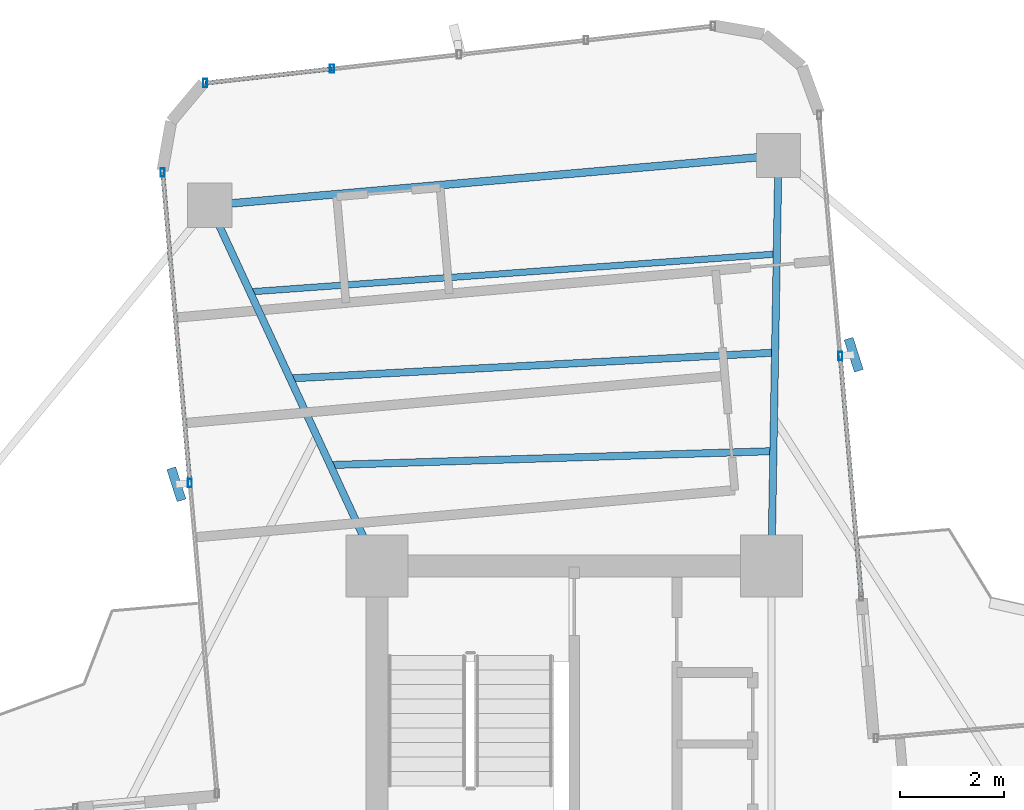
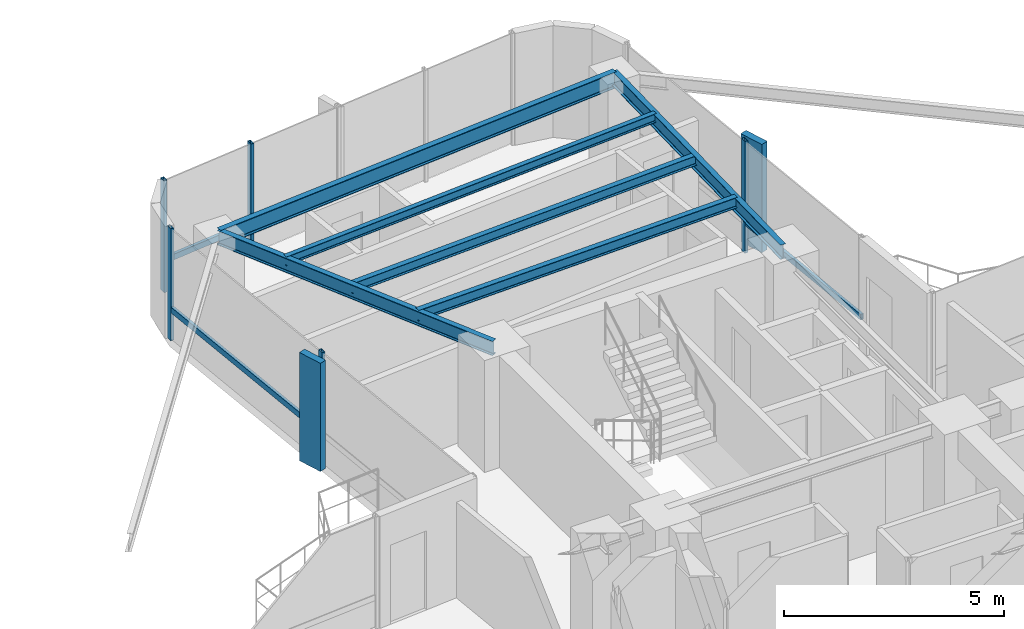
# One storey, part 16 of 24: 10 members, 6 beams, 3 elements without a shape of their own.
"""IFC4 building model written with IfcOpenShell, lengths in metres."""

from ifc_helpers import new_model, si_unit, direction, frame, origin, origin_2d, place, context, subcontext, project, spatial, rectangle, hollow_rectangle, i_section, extrude, source, transform, mapped, material, material_profile, profile_set, type_object, element, aggregate, save


model = new_model("IFC4")

# Units and contexts
model_context = context("Model", 3, precision=1e-05, world=origin(), true_north=direction((0.0, 1.0)))
body_context = subcontext(model_context, "Body", "Model", "MODEL_VIEW")
ifc_project = project(units=[si_unit("LENGTHUNIT", "METRE"), si_unit("AREAUNIT", "SQUARE_METRE"), si_unit("VOLUMEUNIT", "CUBIC_METRE"), si_unit("PLANEANGLEUNIT", "RADIAN"), si_unit("MASSUNIT", "GRAM", prefix="KILO")], contexts=[model_context])

# Site, building, storey
site_placement = place(None, origin())
site = spatial("IfcSite", under=ifc_project, at=site_placement, CompositionType="ELEMENT")
building_placement = place(site_placement, origin())
building = spatial("IfcBuilding", under=site, at=building_placement, Name="Sahyath Konkavel Grand Hotel", CompositionType="ELEMENT")
storey_placement = place(building_placement, frame((0.0, 0.0, 164.0)))
storey = spatial("IfcBuildingStorey", under=building, at=storey_placement, Name="L45", CompositionType="ELEMENT", Elevation=164.0)

# Beams
ifc_material_1 = material(Name="Steel E350", Category="steel")
ifc_material_profile_1 = material_profile(ifc_material_1, i_section(OverallWidth=0.139892578125, OverallDepth=0.39990234375, WebThickness=0.0087890625, FlangeThickness=0.01611328125, FilletRadius=0.013916015625, at=origin_2d()), Name="ISMB 400")
ifc_profile_set_1 = profile_set([ifc_material_profile_1], Name="Steel E350")
beam_type_1 = type_object("IfcBeamType", Name="BM-ISMB400", PredefinedType="BEAM", material=ifc_profile_set_1)
shared_shape_1 = source(origin(), body_context, "Body", "SweptSolid", [
    extrude(i_section(OverallWidth=0.139892578125, OverallDepth=0.39990234375, WebThickness=0.0087890625, FlangeThickness=0.01611328125, FilletRadius=0.013916015625, at=origin_2d()), origin(), (0.0, 0.0, 1.0), 7.913330078125),
])
beam_1_placement = place(storey_placement, frame((3.800048828125, 10.199951171875, 2.909912109375), z_axis=(0.017215419232, 0.999851803689, 0.0), x_axis=(-0.999851803689, 0.017215419232, 0.0)))
element("IfcBeam", 1, at=beam_1_placement, inside=storey, type_object=beam_type_1, Name="L45 Cruciform Radial Girder NA", PredefinedType="BEAM", context=body_context, shape_type="MappedRepresentation", body=[
    mapped(shared_shape_1, transform((0.0, 0.0, 0.0), scale=1.0)),
])
shared_shape_2 = source(origin(), body_context, "Body", "SweptSolid", [
    extrude(i_section(OverallWidth=0.139892578125, OverallDepth=0.39990234375, WebThickness=0.0087890625, FlangeThickness=0.01611328125, FilletRadius=0.013916015625, at=origin_2d()), origin(), (0.0, 0.0, 1.0), 7.66357421875),
])
beam_2_placement = place(storey_placement, frame((-3.800048828125, 10.199951171875, 2.909912109375), z_axis=(-0.420395127561, 0.907341135804, 0.0), x_axis=(-0.907341135804, -0.420395127561, 0.0)))
element("IfcBeam", 2, at=beam_2_placement, inside=storey, type_object=beam_type_1, Name="L45 Cruciform Radial Girder NB", PredefinedType="BEAM", context=body_context, shape_type="MappedRepresentation", body=[
    mapped(shared_shape_2, transform((0.0, 0.0, 0.0), scale=1.0)),
])
ifc_material_profile_2 = material_profile(ifc_material_1, i_section(OverallWidth=0.14990234375, OverallDepth=0.449951171875, WebThickness=0.009521484375, FlangeThickness=0.017333984375, FilletRadius=0.014892578125, at=origin_2d()), Name="ISMB 450")
ifc_profile_set_2 = profile_set([ifc_material_profile_2], Name="Steel E350")
beam_type_2 = type_object("IfcBeamType", Name="BM-ISMB450", PredefinedType="BEAM", material=ifc_profile_set_2)
shared_shape_3 = source(origin(), body_context, "Body", "SweptSolid", [
    extrude(i_section(OverallWidth=0.14990234375, OverallDepth=0.449951171875, WebThickness=0.009521484375, FlangeThickness=0.017333984375, FilletRadius=0.014892578125, at=origin_2d()), origin(), (0.0, 0.0, 1.0), 10.999755859375),
])
beam_3_placement = place(storey_placement, frame((3.936279296875, 18.112060546875, 2.885009765625), z_axis=(-0.99619439202, -0.087159241098, 0.0), x_axis=(0.087159241098, -0.99619439202, 0.0)))
element("IfcBeam", 3, at=beam_3_placement, inside=storey, type_object=beam_type_2, Name="L45 Wing Tip Edge Beam N", PredefinedType="BEAM", context=body_context, shape_type="MappedRepresentation", body=[
    mapped(shared_shape_3, transform((0.0, 0.0, 0.0), scale=1.0)),
])
ifc_material_profile_3 = material_profile(ifc_material_1, i_section(OverallWidth=0.139892578125, OverallDepth=0.300048828125, WebThickness=0.0078125, FlangeThickness=0.01318359375, FilletRadius=0.013916015625, at=origin_2d()), Name="ISMB 300")
ifc_profile_set_3 = profile_set([ifc_material_profile_3], Name="Steel E350")
beam_type_3 = type_object("IfcBeamType", Name="BM-ISMB300", PredefinedType="BEAM", material=ifc_profile_set_3)
shared_shape_4 = source(origin(), body_context, "Body", "SweptSolid", [
    extrude(i_section(OverallWidth=0.139892578125, OverallDepth=0.300048828125, WebThickness=0.0078125, FlangeThickness=0.01318359375, FilletRadius=0.013916015625, at=origin_2d()), origin(), (0.0, 0.0, 1.0), 8.54443359375),
])
beam_4_placement = place(storey_placement, frame((3.838134765625, 12.415283203125, 2.9599609375), z_axis=(-0.999506849365, -0.031401561632, 0.0), x_axis=(0.031401561632, -0.999506849365, 0.0)))
element("IfcBeam", 4, at=beam_4_placement, inside=storey, type_object=beam_type_3, Name="L45 Secondary Floor Beam N-1", PredefinedType="BEAM", context=body_context, shape_type="MappedRepresentation", body=[
    mapped(shared_shape_4, transform((0.0, 0.0, 0.0), scale=1.0)),
])
ifc_material_profile_4 = material_profile(ifc_material_1, i_section(OverallWidth=0.139892578125, OverallDepth=0.27490234375, WebThickness=0.00634765625, FlangeThickness=0.0087890625, FilletRadius=0.012939453125, at=origin_2d()), Name="ISLB 275")
ifc_profile_set_4 = profile_set([ifc_material_profile_4], Name="Steel E350")
beam_type_4 = type_object("IfcBeamType", Name="BM-ISLB275", PredefinedType="BEAM", material=ifc_profile_set_4)
shared_shape_5 = source(origin(), body_context, "Body", "SweptSolid", [
    extrude(i_section(OverallWidth=0.139892578125, OverallDepth=0.27490234375, WebThickness=0.00634765625, FlangeThickness=0.0087890625, FilletRadius=0.012939453125, at=origin_2d()), origin(), (0.0, 0.0, 1.0), 9.359375),
])
beam_5_placement = place(storey_placement, frame((3.870849609375, 14.314208984375, 2.972412109375), z_axis=(-0.998580397723, -0.053265272769, 0.0), x_axis=(0.053265272769, -0.998580397723, 0.0)))
element("IfcBeam", 5, at=beam_5_placement, inside=storey, type_object=beam_type_4, Name="L45 Secondary Floor Beam N-2", PredefinedType="BEAM", context=body_context, shape_type="MappedRepresentation", body=[
    mapped(shared_shape_5, transform((0.0, 0.0, 0.0), scale=1.0)),
])
ifc_material_profile_5 = material_profile(ifc_material_1, i_section(OverallWidth=0.125, OverallDepth=0.25, WebThickness=0.0068359375, FlangeThickness=0.012451171875, FilletRadius=0.012939453125, at=origin_2d()), Name="ISMB 250")
ifc_profile_set_5 = profile_set([ifc_material_profile_5], Name="Steel E350")
beam_type_5 = type_object("IfcBeamType", Name="BM-ISMB250", PredefinedType="BEAM", material=ifc_profile_set_5)
shared_shape_6 = source(origin(), body_context, "Body", "SweptSolid", [
    extrude(i_section(OverallWidth=0.125, OverallDepth=0.25, WebThickness=0.0068359375, FlangeThickness=0.012451171875, FilletRadius=0.012939453125, at=origin_2d()), origin(), (0.0, 0.0, 1.0), 10.178466796875),
])
beam_6_placement = place(storey_placement, frame((3.90380859375, 16.213134765625, 2.985107421875), z_axis=(-0.997435268886, -0.071574327683, 0.0), x_axis=(0.071574327683, -0.997435268886, 0.0)))
element("IfcBeam", 6, at=beam_6_placement, inside=storey, type_object=beam_type_5, Name="L45 Secondary Floor Beam N-3", PredefinedType="BEAM", context=body_context, shape_type="MappedRepresentation", body=[
    mapped(shared_shape_6, transform((0.0, 0.0, 0.0), scale=1.0)),
])

# Curtain wall, member
ifc_material_2 = material(Name="Anodised Bronze Aluminium & Low-E Glazing", Category="aluminium")
curtain_wall_type = type_object("IfcCurtainWallType", Name="CW-ZONE3", PredefinedType="NOTDEFINED", material=ifc_material_2)
curtain_wall_1_placement = place(storey_placement, origin())
curtain_wall_1 = element("IfcCurtainWall", 7, at=curtain_wall_1_placement, inside=storey, type_object=curtain_wall_type, Name="L45 Unitised Curtain Wall F8", PredefinedType="NOTDEFINED")
ifc_material_3 = material(Name="Warm Buff Sandstone Cladding on Concrete C50/60", Category="masonry")
ifc_material_profile_6 = material_profile(ifc_material_3, rectangle(XDim=0.179931640625, YDim=0.64990234375, at=origin_2d()), Name="FIN 180x650")
ifc_profile_set_6 = profile_set([ifc_material_profile_6], Name="Warm Buff Sandstone Cladding on Concrete C50/60")
member_type_1 = type_object("IfcMemberType", Name="FIN-SANDSTONE-650", PredefinedType="MULLION", material=ifc_profile_set_6)
shared_shape_7 = source(origin(), body_context, "Body", "SweptSolid", [
    extrude(rectangle(XDim=0.179931640625, YDim=0.64990234375, at=origin_2d()), origin(), (0.0, 0.0, 1.0), 3.010009765625),
])
member_1_placement = place(storey_placement, frame((5.386474609375, 14.273681640625, 0.050048828125), z_axis=(0.0, 0.0, 1.0), x_axis=(0.952236042525, 0.30536293049, 0.0)))
member_1 = element("IfcMember", 8, at=member_1_placement, type_object=member_type_1, Name="L45 Sandstone Vertical Solar Fin FIN F8-1", PredefinedType="MULLION", context=body_context, shape_type="MappedRepresentation", body=[
    mapped(shared_shape_7, transform((0.0, 0.0, 0.0), scale=1.0)),
])

curtain_wall_2_placement = place(storey_placement, origin())
curtain_wall_2 = element("IfcCurtainWall", 9, at=curtain_wall_2_placement, inside=storey, type_object=curtain_wall_type, Name="L45 Unitised Curtain Wall F15", PredefinedType="NOTDEFINED")
member_2_placement = place(storey_placement, frame((-7.66552734375, 11.776611328125, 0.050048828125), z_axis=(0.0, 0.0, 1.0), x_axis=(0.952236042525, 0.30536293049, 0.0)))
member_2 = element("IfcMember", 10, at=member_2_placement, type_object=member_type_1, Name="L45 Sandstone Vertical Solar Fin FIN F15-1", PredefinedType="MULLION", context=body_context, shape_type="MappedRepresentation", body=[
    mapped(shared_shape_7, transform((0.0, 0.0, 0.0), scale=1.0)),
])

# Member
ifc_material_4 = material(Name="Anodised Bronze Aluminium", Category="aluminium")
ifc_material_profile_7 = material_profile(ifc_material_4, hollow_rectangle(XDim=0.080078125, YDim=0.159912109375, WallThickness=0.006103515625, at=origin_2d()), Name="RHS 160x80x6")
ifc_profile_set_7 = profile_set([ifc_material_profile_7], Name="Anodised Bronze Aluminium")
member_type_2 = type_object("IfcMemberType", Name="CW-MUL-160", PredefinedType="MULLION", material=ifc_profile_set_7)
shared_shape_8 = source(origin(), body_context, "Body", "SweptSolid", [
    extrude(hollow_rectangle(XDim=0.080078125, YDim=0.159912109375, WallThickness=0.006103515625, at=origin_2d()), origin(), (0.0, 0.0, 1.0), 3.110107421875),
])
member_3_placement = place(storey_placement, frame((5.12744140625, 14.251220703125, 0.0), z_axis=(0.0, 0.0, 1.0), x_axis=(1.0, 0.0, 0.0)))
member_3 = element("IfcMember", 11, at=member_3_placement, type_object=member_type_2, Name="L45 Curtain Wall Mullion F8-1", PredefinedType="MULLION", context=body_context, shape_type="MappedRepresentation", body=[
    mapped(shared_shape_8, transform((0.0, 0.0, 0.0), scale=1.0)),
])

# Curtain wall, members
curtain_wall_3_placement = place(storey_placement, origin())
curtain_wall_3 = element("IfcCurtainWall", 12, at=curtain_wall_3_placement, inside=storey, type_object=curtain_wall_type, Name="L45 Unitised Curtain Wall F12", PredefinedType="NOTDEFINED")
member_4_placement = place(storey_placement, frame((-4.665771484375, 19.783203125, 0.0), z_axis=(0.0, 0.0, 1.0), x_axis=(1.0, 0.0, 0.0)))
member_4 = element("IfcMember", 13, at=member_4_placement, type_object=member_type_2, Name="L45 Curtain Wall Mullion F12-3", PredefinedType="MULLION", context=body_context, shape_type="MappedRepresentation", body=[
    mapped(shared_shape_8, transform((0.0, 0.0, 0.0), scale=1.0)),
])
member_5_placement = place(storey_placement, frame((-7.1123046875, 19.507568359375, 0.0), z_axis=(0.0, 0.0, 1.0), x_axis=(1.0, 0.0, 0.0)))
member_5 = element("IfcMember", 14, at=member_5_placement, type_object=member_type_2, Name="L45 Curtain Wall Mullion F12-4", PredefinedType="MULLION", context=body_context, shape_type="MappedRepresentation", body=[
    mapped(shared_shape_8, transform((0.0, 0.0, 0.0), scale=1.0)),
])

# Member
member_6_placement = place(storey_placement, frame((-7.930419921875, 17.78662109375, 0.0), z_axis=(0.0, 0.0, 1.0), x_axis=(1.0, 0.0, 0.0)))
member_6 = element("IfcMember", 15, at=member_6_placement, type_object=member_type_2, Name="L45 Curtain Wall Mullion F15-0", PredefinedType="MULLION", context=body_context, shape_type="MappedRepresentation", body=[
    mapped(shared_shape_8, transform((0.0, 0.0, 0.0), scale=1.0)),
])

member_7_placement = place(storey_placement, frame((-7.406494140625, 11.79931640625, 0.0), z_axis=(0.0, 0.0, 1.0), x_axis=(1.0, 0.0, 0.0)))
member_7 = element("IfcMember", 16, at=member_7_placement, type_object=member_type_2, Name="L45 Curtain Wall Mullion F15-1", PredefinedType="MULLION", context=body_context, shape_type="MappedRepresentation", body=[
    mapped(shared_shape_8, transform((0.0, 0.0, 0.0), scale=1.0)),
])

ifc_material_profile_8 = material_profile(ifc_material_4, hollow_rectangle(XDim=0.080078125, YDim=0.159912109375, WallThickness=0.006103515625, at=origin_2d()), Name="RHS 160x80x6")
ifc_profile_set_8 = profile_set([ifc_material_profile_8], Name="Anodised Bronze Aluminium")
member_type_3 = type_object("IfcMemberType", Name="CW-TRN-160", PredefinedType="USERDEFINED", material=ifc_profile_set_8)
shared_shape_9 = source(origin(), body_context, "Body", "SweptSolid", [
    extrude(hollow_rectangle(XDim=0.080078125, YDim=0.159912109375, WallThickness=0.006103515625, at=origin_2d()), origin(), (0.0, 0.0, 1.0), 4.66015625),
])
member_8_placement = place(storey_placement, frame((5.53369140625, 9.60888671875, 0.85009765625), z_axis=(-0.087176698736, 0.996192864458, 0.0), x_axis=(-0.996192864458, -0.087176698736, 0.0)))
member_8 = element("IfcMember", 17, at=member_8_placement, type_object=member_type_3, Name="L45 Curtain Wall Transom F8-0-spandrel", ObjectType="TRANSOM", PredefinedType="USERDEFINED", context=body_context, shape_type="MappedRepresentation", body=[
    mapped(shared_shape_9, transform((0.0, 0.0, 0.0), scale=1.0)),
])

aggregate(curtain_wall_1, [member_3, member_1, member_8])

shared_shape_10 = source(origin(), body_context, "Body", "SweptSolid", [
    extrude(hollow_rectangle(XDim=0.080078125, YDim=0.159912109375, WallThickness=0.006103515625, at=origin_2d()), origin(), (0.0, 0.0, 1.0), 2.4619140625),
])
member_9_placement = place(storey_placement, frame((-4.665771484375, 19.783203125, 0.85009765625), z_axis=(-0.993713263833, -0.111955121731, 0.0), x_axis=(0.111955121731, -0.993713263833, 0.0)))
member_9 = element("IfcMember", 18, at=member_9_placement, type_object=member_type_3, Name="L45 Curtain Wall Transom F12-3-spandrel", ObjectType="TRANSOM", PredefinedType="USERDEFINED", context=body_context, shape_type="MappedRepresentation", body=[
    mapped(shared_shape_10, transform((0.0, 0.0, 0.0), scale=1.0)),
])

aggregate(curtain_wall_3, [member_4, member_5, member_9])

shared_shape_11 = source(origin(), body_context, "Body", "SweptSolid", [
    extrude(hollow_rectangle(XDim=0.080078125, YDim=0.159912109375, WallThickness=0.006103515625, at=origin_2d()), origin(), (0.0, 0.0, 1.0), 6.01025390625),
])
member_10_placement = place(storey_placement, frame((-7.930419921875, 17.78662109375, 0.85009765625), z_axis=(0.087172997156, -0.996193188376, 0.0), x_axis=(0.996193188376, 0.087172997156, 0.0)))
member_10 = element("IfcMember", 19, at=member_10_placement, type_object=member_type_3, Name="L45 Curtain Wall Transom F15-0-spandrel", ObjectType="TRANSOM", PredefinedType="USERDEFINED", context=body_context, shape_type="MappedRepresentation", body=[
    mapped(shared_shape_11, transform((0.0, 0.0, 0.0), scale=1.0)),
])

aggregate(curtain_wall_2, [member_6, member_7, member_2, member_10])

save(model, "model.ifc")
